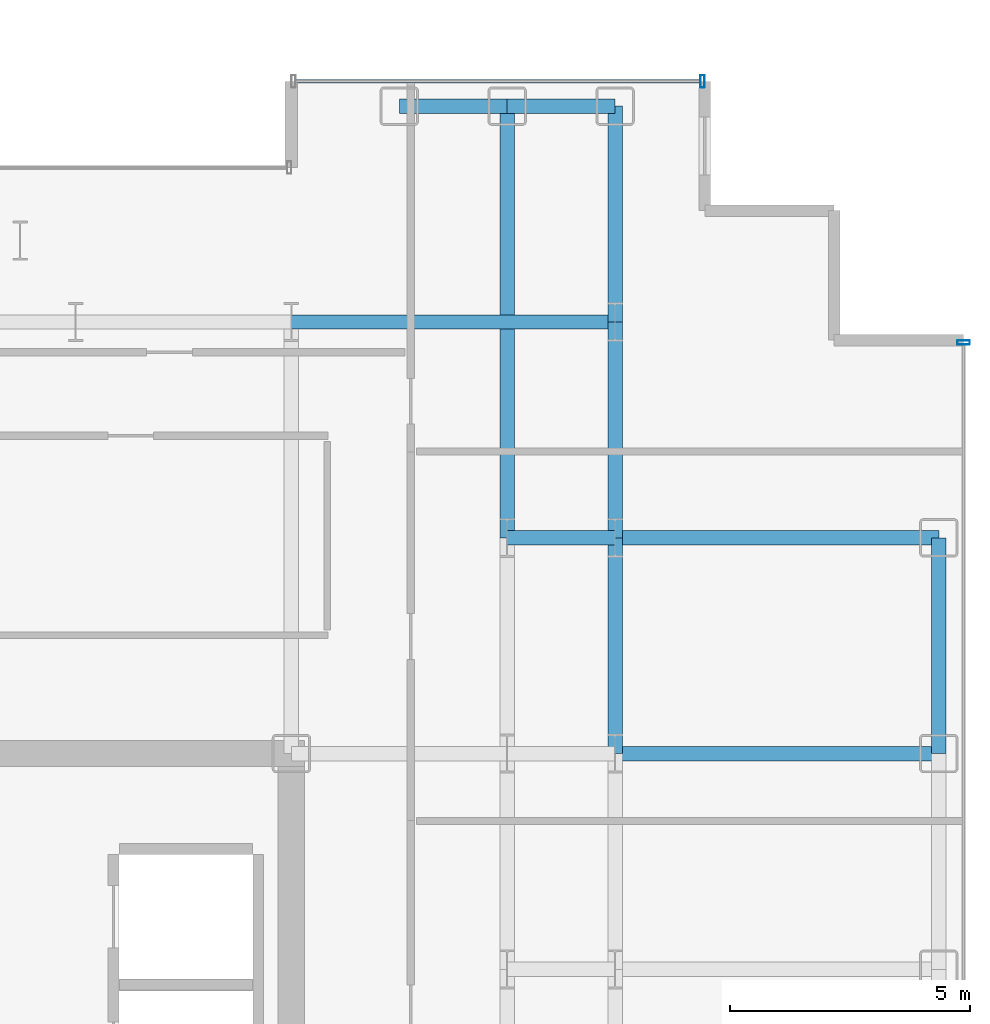
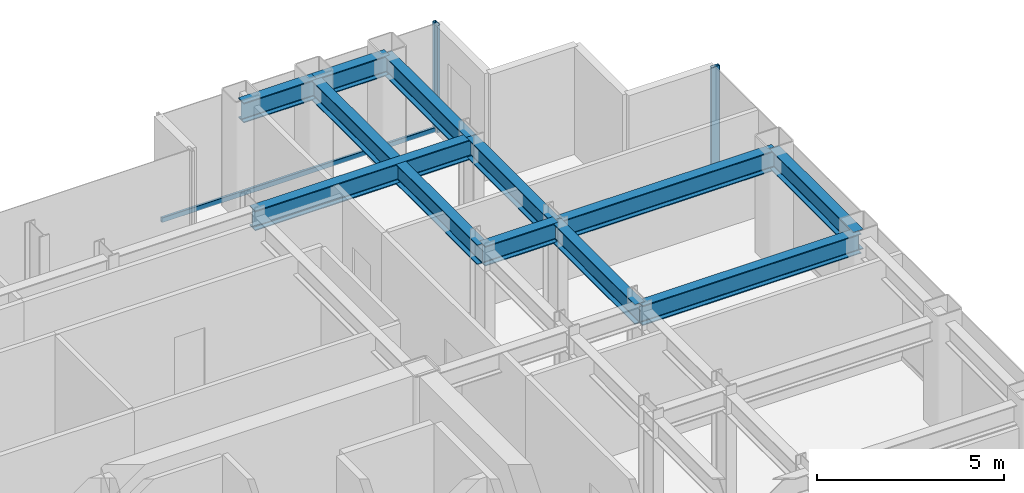
# One storey, part 14 of 23: 11 beams, 3 members, 2 elements without a shape of their own.
"""IFC4 building model written with IfcOpenShell, lengths in metres."""

from ifc_helpers import new_model, si_unit, direction, frame, origin, origin_2d, place, context, subcontext, project, spatial, hollow_rectangle, i_section, extrude, source, transform, mapped, material, layer, layer_set, material_profile, profile_set, type_object, element, aggregate, save


model = new_model("IFC4")

# Units and contexts
model_context = context("Model", 3, precision=1e-05, world=origin(), true_north=direction((0.0, 1.0)))
body_context = subcontext(model_context, "Body", "Model", "MODEL_VIEW")
ifc_project = project(units=[si_unit("LENGTHUNIT", "METRE"), si_unit("AREAUNIT", "SQUARE_METRE"), si_unit("VOLUMEUNIT", "CUBIC_METRE"), si_unit("PLANEANGLEUNIT", "RADIAN"), si_unit("MASSUNIT", "GRAM", prefix="KILO")], contexts=[model_context])

# Site, building, storey
site_placement = place(None, origin())
site = spatial("IfcSite", under=ifc_project, at=site_placement, CompositionType="ELEMENT")
building_placement = place(site_placement, origin())
building = spatial("IfcBuilding", under=site, at=building_placement, Name="Nefas-Gora Pilgrimage Tower", CompositionType="ELEMENT")
storey_placement = place(building_placement, frame((0.0, 0.0, 198.199951171875)))
storey = spatial("IfcBuildingStorey", under=building, at=storey_placement, Name="L49", CompositionType="ELEMENT", Elevation=198.199951171875)

# Beams
ifc_material_1 = material(Name="Steel S355", Category="steel")
ifc_material_profile_1 = material_profile(ifc_material_1, i_section(OverallWidth=0.300048828125, OverallDepth=0.64990234375, WebThickness=0.01611328125, FlangeThickness=0.031005859375, FilletRadius=0.027099609375, at=origin_2d()), Name="HEB 650")
ifc_profile_set_1 = profile_set([ifc_material_profile_1], Name="Steel S355")
beam_type_1 = type_object("IfcBeamType", Name="BM-SPN-HEB500", PredefinedType="SPANDREL", material=ifc_profile_set_1)
shared_shape_1 = source(origin(), body_context, "Body", "SweptSolid", [
    extrude(i_section(OverallWidth=0.300048828125, OverallDepth=0.64990234375, WebThickness=0.01611328125, FlangeThickness=0.031005859375, FilletRadius=0.027099609375, at=origin_2d()), origin(), (0.0, 0.0, 1.0), 4.5),
])
beam_1_placement = place(storey_placement, frame((24.75, 9.0, 3.175048828125), z_axis=(0.0, 1.0, 0.0), x_axis=(-1.0, 0.0, 0.0)))
element("IfcBeam", 1, at=beam_1_placement, inside=storey, type_object=beam_type_1, Name="L49 SP-02 beam", PredefinedType="SPANDREL", context=body_context, shape_type="MappedRepresentation", body=[
    mapped(shared_shape_1, transform((0.0, 0.0, 0.0), x_axis=(1.0, 0.0, 0.0), y_axis=(0.0, 1.0, 0.0), z_axis=(0.0, 0.0, 1.0), scale=1.0)),
])
ifc_material_profile_2 = material_profile(ifc_material_1, i_section(OverallWidth=0.300048828125, OverallDepth=0.64990234375, WebThickness=0.01611328125, FlangeThickness=0.031005859375, FilletRadius=0.027099609375, at=origin_2d()), Name="HEB 650")
ifc_profile_set_2 = profile_set([ifc_material_profile_2], Name="Steel S355")
beam_type_2 = type_object("IfcBeamType", Name="BM-GIR-HEB650", PredefinedType="BEAM", material=ifc_profile_set_2)
shared_shape_2 = source(origin(), body_context, "Body", "SweptSolid", [
    extrude(i_section(OverallWidth=0.300048828125, OverallDepth=0.64990234375, WebThickness=0.01611328125, FlangeThickness=0.031005859375, FilletRadius=0.027099609375, at=origin_2d()), origin(), (0.0, 0.0, 1.0), 9.0),
])
beam_2_placement = place(storey_placement, frame((15.75, 13.5, 3.175048828125), z_axis=(0.0, 1.0, 0.0), x_axis=(-1.0, 0.0, 0.0)))
element("IfcBeam", 2, at=beam_2_placement, inside=storey, type_object=beam_type_2, Name="L49 G-03 beam", PredefinedType="BEAM", context=body_context, shape_type="MappedRepresentation", body=[
    mapped(shared_shape_2, transform((0.0, 0.0, 0.0), x_axis=(1.0, 0.0, 0.0), y_axis=(0.0, 1.0, 0.0), z_axis=(0.0, 0.0, 1.0), scale=1.0)),
])
shared_shape_3 = source(origin(), body_context, "Body", "SweptSolid", [
    extrude(i_section(OverallWidth=0.300048828125, OverallDepth=0.64990234375, WebThickness=0.01611328125, FlangeThickness=0.031005859375, FilletRadius=0.027099609375, at=origin_2d()), origin(), (0.0, 0.0, 1.0), 4.5),
])
for number, where, z_axis, x_axis, name in (
    (3, (18.0, 9.0, 3.175048828125), (0.0, 1.0, 0.0), (-1.0, 0.0, 0.0), "L49 G-03 beam"),
    (4, (18.0, 13.5, 3.175048828125), (0.0, 1.0, 0.0), (-1.0, 0.0, 0.0), "L49 G-03 beam"),
    (5, (18.0, 18.0, 3.175048828125), (0.0, 1.0, 0.0), (-1.0, 0.0, 0.0), "L49 G-03 beam"),
):
    element("IfcBeam", number, at=place(storey_placement, frame(where, z_axis=z_axis, x_axis=x_axis)), inside=storey, type_object=beam_type_2, Name=name, PredefinedType="BEAM", context=body_context, shape_type="MappedRepresentation", body=[
        mapped(shared_shape_3, transform((0.0, 0.0, 0.0), x_axis=(1.0, 0.0, 0.0), y_axis=(0.0, 1.0, 0.0), z_axis=(0.0, 0.0, 1.0), scale=1.0)),
    ])
shared_shape_4 = source(origin(), body_context, "Body", "SweptSolid", [
    extrude(i_section(OverallWidth=0.300048828125, OverallDepth=0.64990234375, WebThickness=0.01611328125, FlangeThickness=0.031005859375, FilletRadius=0.027099609375, at=origin_2d()), origin(), (0.0, 0.0, 1.0), 6.75),
])
for number, where, z_axis, x_axis, name in (
    (6, (11.25, 18.0, 3.175048828125), (1.0, 0.0, 0.0), (0.0, 1.0, 0.0), "L49 G-03 beam"),
    (7, (18.0, 9.0, 3.175048828125), (1.0, 0.0, 0.0), (0.0, 1.0, 0.0), "L49 G-03 beam"),
    (8, (18.0, 13.5, 3.175048828125), (1.0, 0.0, 0.0), (0.0, 1.0, 0.0), "L49 G-03 beam"),
):
    element("IfcBeam", number, at=place(storey_placement, frame(where, z_axis=z_axis, x_axis=x_axis)), inside=storey, type_object=beam_type_2, Name=name, PredefinedType="BEAM", context=body_context, shape_type="MappedRepresentation", body=[
        mapped(shared_shape_4, transform((0.0, 0.0, 0.0), x_axis=(1.0, 0.0, 0.0), y_axis=(0.0, 1.0, 0.0), z_axis=(0.0, 0.0, 1.0), scale=1.0)),
    ])
shared_shape_5 = source(origin(), body_context, "Body", "SweptSolid", [
    extrude(i_section(OverallWidth=0.300048828125, OverallDepth=0.64990234375, WebThickness=0.01611328125, FlangeThickness=0.031005859375, FilletRadius=0.027099609375, at=origin_2d()), origin(), (0.0, 0.0, 1.0), 2.25),
])
for number, where, z_axis, x_axis, name in (
    (9, (13.5, 22.5, 3.175048828125), (1.0, 0.0, 0.0), (0.0, 1.0, 0.0), "L49 SP-02 beam"),
    (10, (15.75, 22.5, 3.175048828125), (1.0, 0.0, 0.0), (0.0, 1.0, 0.0), "L49 SP-02 beam"),
):
    element("IfcBeam", number, at=place(storey_placement, frame(where, z_axis=z_axis, x_axis=x_axis)), inside=storey, type_object=beam_type_1, Name=name, PredefinedType="SPANDREL", context=body_context, shape_type="MappedRepresentation", body=[
        mapped(shared_shape_5, transform((0.0, 0.0, 0.0), x_axis=(1.0, 0.0, 0.0), y_axis=(0.0, 1.0, 0.0), z_axis=(0.0, 0.0, 1.0), scale=1.0)),
    ])
shared_shape_6 = source(origin(), body_context, "Body", "SweptSolid", [
    extrude(i_section(OverallWidth=0.300048828125, OverallDepth=0.64990234375, WebThickness=0.01611328125, FlangeThickness=0.031005859375, FilletRadius=0.027099609375, at=origin_2d()), origin(), (0.0, 0.0, 1.0), 2.25),
])
beam_3_placement = place(storey_placement, frame((15.75, 13.5, 3.175048828125), z_axis=(1.0, 0.0, 0.0), x_axis=(0.0, 1.0, 0.0)))
element("IfcBeam", 11, at=beam_3_placement, inside=storey, type_object=beam_type_2, Name="L49 G-03 beam", PredefinedType="BEAM", context=body_context, shape_type="MappedRepresentation", body=[
    mapped(shared_shape_6, transform((0.0, 0.0, 0.0), x_axis=(1.0, 0.0, 0.0), y_axis=(0.0, 1.0, 0.0), z_axis=(0.0, 0.0, 1.0), scale=1.0)),
])

# Curtain wall, member
ifc_material_2 = material(Name="Dark ceramic-fritted solar-control aluminium-glass curtain wall", Category="aluminium")
ifc_layer = layer(ifc_material_2, 0.219970703125)
ifc_layer_set = layer_set([ifc_layer], Name="Dark ceramic-fritted solar-control aluminium-glass curtain wall")
curtain_wall_type = type_object("IfcCurtainWallType", Name="CW-SYS-3", PredefinedType="NOTDEFINED", material=ifc_layer_set)
curtain_wall_1_placement = place(storey_placement, origin())
curtain_wall_1 = element("IfcCurtainWall", 12, at=curtain_wall_1_placement, inside=storey, type_object=curtain_wall_type, Name="L49 Unitised Curtain Wall CW3", PredefinedType="NOTDEFINED")
ifc_material_3 = material(Name="Anodised architectural aluminium", Category="aluminium")
ifc_material_profile_3 = material_profile(ifc_material_3, hollow_rectangle(XDim=0.080078125, YDim=0.159912109375, WallThickness=0.00439453125, InnerFilletRadius=0.00439453125, OuterFilletRadius=0.009033203125, at=origin_2d()), Name="ALU TRANSOM 80x160")
ifc_profile_set_3 = profile_set([ifc_material_profile_3], Name="Anodised architectural aluminium")
member_type_1 = type_object("IfcMemberType", Name="CWM-TRN-3", PredefinedType="USERDEFINED", material=ifc_profile_set_3)
shared_shape_7 = source(origin(), body_context, "Body", "SweptSolid", [
    extrude(hollow_rectangle(XDim=0.080078125, YDim=0.159912109375, WallThickness=0.00439453125, InnerFilletRadius=0.00439453125, OuterFilletRadius=0.009033203125, at=origin_2d()), origin(), (0.0, 0.0, 1.0), 8.43994140625),
])
member_1_placement = place(storey_placement, frame((19.780029296875, 23.02001953125, 0.050048828125), z_axis=(-1.0, 0.0, 0.0), x_axis=(0.0, -1.0, 0.0)))
member_1 = element("IfcMember", 13, at=member_1_placement, type_object=member_type_1, Name="CW3 Spandrel Transom", ObjectType="TRANSOM", PredefinedType="USERDEFINED", context=body_context, shape_type="MappedRepresentation", body=[
    mapped(shared_shape_7, transform((0.0, 0.0, 0.0), x_axis=(1.0, 0.0, 0.0), y_axis=(0.0, 1.0, 0.0), z_axis=(0.0, 0.0, 1.0), scale=1.0)),
])

curtain_wall_2_placement = place(storey_placement, origin())
curtain_wall_2 = element("IfcCurtainWall", 14, at=curtain_wall_2_placement, inside=storey, type_object=curtain_wall_type, Name="L49 Unitised Curtain Wall CW3", PredefinedType="NOTDEFINED")
ifc_material_profile_4 = material_profile(ifc_material_3, hollow_rectangle(XDim=0.090087890625, YDim=0.260009765625, WallThickness=0.006103515625, InnerFilletRadius=0.006103515625, OuterFilletRadius=0.011962890625, at=origin_2d()), Name="ALU MULLION 90x260")
ifc_profile_set_4 = profile_set([ifc_material_profile_4], Name="Anodised architectural aluminium")
member_type_2 = type_object("IfcMemberType", Name="CWM-MUL-3", PredefinedType="MULLION", material=ifc_profile_set_4)
shared_shape_8 = source(origin(), body_context, "Body", "SweptSolid", [
    extrude(hollow_rectangle(XDim=0.090087890625, YDim=0.260009765625, WallThickness=0.006103515625, InnerFilletRadius=0.006103515625, OuterFilletRadius=0.011962890625, at=origin_2d()), origin(), (0.0, 0.0, 1.0), 3.5),
])
member_2_placement = place(storey_placement, frame((25.27001953125, 17.574951171875, 0.0), z_axis=(0.0, 0.0, 1.0), x_axis=(0.0, 1.0, 0.0)))
member_2 = element("IfcMember", 15, at=member_2_placement, type_object=member_type_2, Name="CW3 Mullion 2", PredefinedType="MULLION", context=body_context, shape_type="MappedRepresentation", body=[
    mapped(shared_shape_8, transform((0.0, 0.0, 0.0), x_axis=(1.0, 0.0, 0.0), y_axis=(0.0, 1.0, 0.0), z_axis=(0.0, 0.0, 1.0), scale=1.0)),
])
aggregate(curtain_wall_2, [member_2])

# Member
member_3_placement = place(storey_placement, frame((19.824951171875, 23.02001953125, 0.0), z_axis=(0.0, 0.0, 1.0), x_axis=(-1.0, 0.0, 0.0)))
member_3 = element("IfcMember", 16, at=member_3_placement, type_object=member_type_2, Name="CW3 Mullion 1", PredefinedType="MULLION", context=body_context, shape_type="MappedRepresentation", body=[
    mapped(shared_shape_8, transform((0.0, 0.0, 0.0), x_axis=(1.0, 0.0, 0.0), y_axis=(0.0, 1.0, 0.0), z_axis=(0.0, 0.0, 1.0), scale=1.0)),
])

aggregate(curtain_wall_1, [member_3, member_1])

save(model, "model.ifc")
